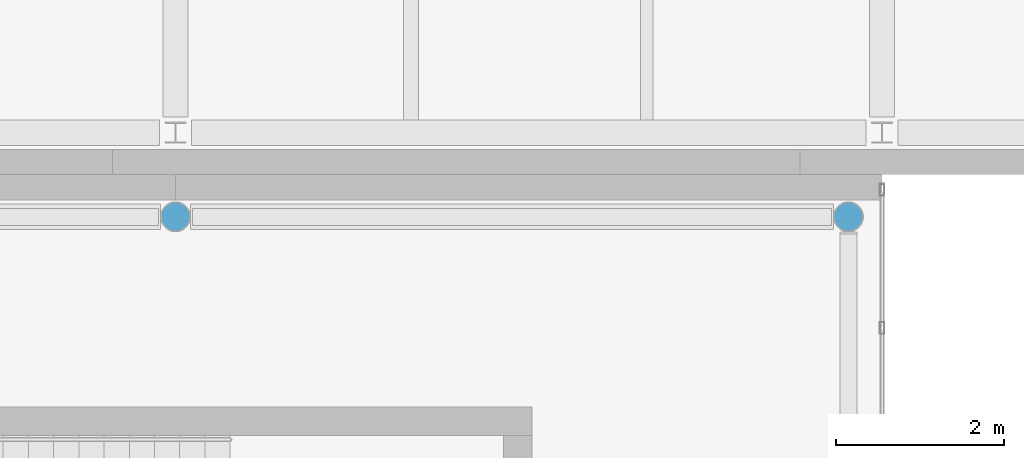
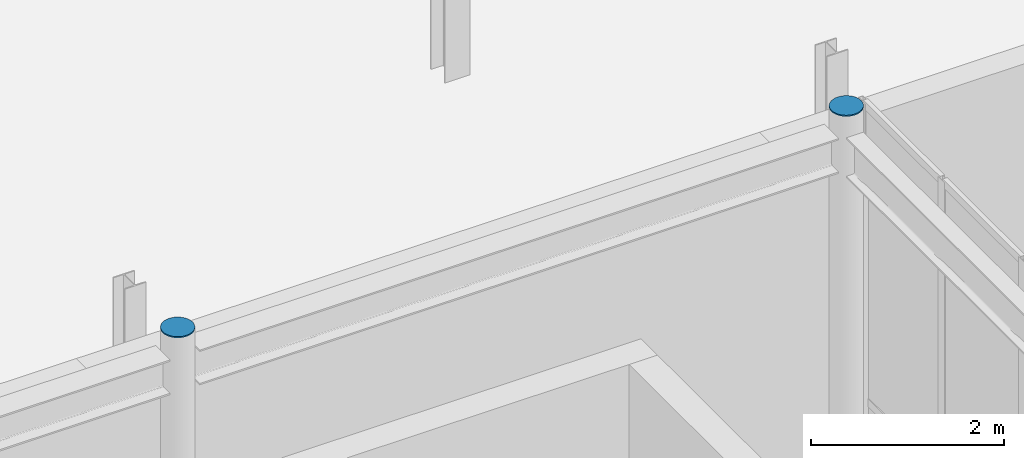
# One storey, part 78 of 91: 2 discrete accessories.
"""IFC4 building model written with IfcOpenShell, lengths in metres."""

from ifc_helpers import new_model, si_unit, direction, frame, origin, origin_2d, place, context, subcontext, project, spatial, circle, extrude, material, type_object, element, save


model = new_model("IFC4")

# Units and contexts
model_context = context("Model", 3, precision=1e-05, world=origin(), true_north=direction((0.0, 1.0)))
body_context = subcontext(model_context, "Body", "Model", "MODEL_VIEW")
ifc_project = project(units=[si_unit("LENGTHUNIT", "METRE"), si_unit("AREAUNIT", "SQUARE_METRE"), si_unit("VOLUMEUNIT", "CUBIC_METRE"), si_unit("PLANEANGLEUNIT", "RADIAN"), si_unit("MASSUNIT", "GRAM", prefix="KILO"), si_unit("THERMODYNAMICTEMPERATUREUNIT", "KELVIN")], contexts=[model_context])

# Site, building, storey
site_placement = place(None, origin())
site = spatial("IfcSite", under=ifc_project, at=site_placement, CompositionType="ELEMENT")
building_placement = place(site_placement, origin())
building = spatial("IfcBuilding", under=site, at=building_placement, Name="Lustrewick Department Store", CompositionType="ELEMENT")
storey_placement = place(building_placement, frame((0.0, 0.0, 21.60009765625)))
storey = spatial("IfcBuildingStorey", under=building, at=storey_placement, Name="L05", CompositionType="ELEMENT", Elevation=21.60009765625)

# Discrete accessories
ifc_material = material(Name="Structural steel Q355C", Category="steel")
discrete_accessory_type = type_object("IfcDiscreteAccessoryType", Name="ECP-01", PredefinedType="USERDEFINED", material=ifc_material)
for number, where, z_axis, x_axis, name in (
    (1, (142.800048828125, 49.89990234375, 5.09375), (0.0, 0.0, 1.0), (1.0, 0.0, 0.0), "L05 Welded Hollow-Section End-Cap Plate ECP-01"),
    (2, (150.800048828125, 49.89990234375, 5.09375), (0.0, 0.0, 1.0), (1.0, 0.0, 0.0), "L05 Welded Hollow-Section End-Cap Plate ECP-01"),
):
    element("IfcDiscreteAccessory", number, at=place(storey_placement, frame(where, z_axis=z_axis, x_axis=x_axis)), inside=storey, type_object=discrete_accessory_type, Name=name, ObjectType="END_CAP_PLATE", PredefinedType="USERDEFINED", context=body_context, shape_type="SweptSolid", body=[
        extrude(circle(Radius=0.177978515625, at=origin_2d()), origin(), (0.0, 0.0, 1.0), 0.01611328125),
    ])

save(model, "model.ifc")
